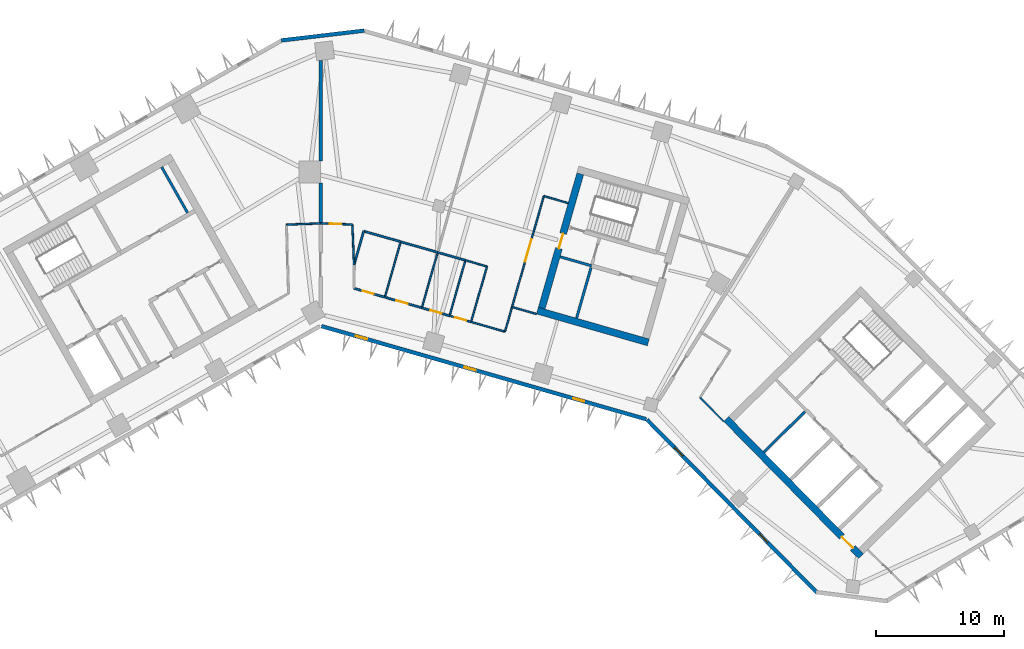
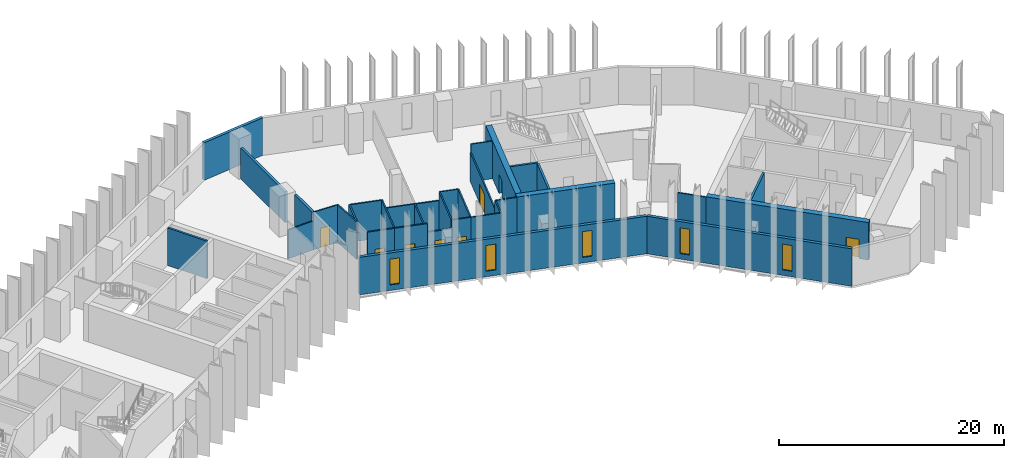
# One storey, part 5 of 11: 34 walls, 8 doors, 5 windows, 13 openings.
"""IFC4 building model written with IfcOpenShell, lengths in metres."""

from ifc_helpers import new_model, si_unit, direction, frame, frame_2d, origin, place, context, subcontext, project, spatial, rectangle, extrude, material, layer, layer_set, type_object, element, fill, save


model = new_model("IFC4")

# Units and contexts
model_context = context("Model", 3, precision=1e-05, world=origin(), true_north=direction((0.0, 1.0)))
body_context = subcontext(model_context, "Body", "Model", "MODEL_VIEW")
ifc_project = project(units=[si_unit("LENGTHUNIT", "METRE"), si_unit("AREAUNIT", "SQUARE_METRE"), si_unit("VOLUMEUNIT", "CUBIC_METRE"), si_unit("PLANEANGLEUNIT", "RADIAN"), si_unit("MASSUNIT", "GRAM", prefix="KILO")], contexts=[model_context])

# Site, building, storey
site_placement = place(None, origin())
site = spatial("IfcSite", under=ifc_project, at=site_placement, CompositionType="ELEMENT")
building_placement = place(site_placement, origin())
building = spatial("IfcBuilding", under=site, at=building_placement, Name="Binnacle Exchange Tower", CompositionType="ELEMENT")
storey_placement = place(building_placement, frame((0.0, 0.0, 141.10009765625)))
storey = spatial("IfcBuildingStorey", under=building, at=storey_placement, Name="L29", CompositionType="ELEMENT", Elevation=141.10009765625)

# Wall, opening, door
ifc_material_1 = material(Name="Concrete C70/85", Category="concrete")
ifc_layer_1 = layer(ifc_material_1, 0.550048828125)
ifc_layer_set_1 = layer_set([ifc_layer_1], Name="Core wall - outer 550")
wall_type_1 = type_object("IfcWallType", Name="Core wall - outer 550", PredefinedType="SOLIDWALL", material=ifc_layer_set_1)
wall_1_placement = place(storey_placement, frame((31.627685546875, 40.7451171875, 0.0), z_axis=(0.0, 0.0, 1.0), x_axis=(0.700911255944, -0.713248491965, 0.0)))
wall_1 = element("IfcWall", 1, at=wall_1_placement, inside=storey, type_object=wall_type_1, Name="Core wall CRWB1", PredefinedType="SOLIDWALL", context=body_context, shape_type="SweptSolid", body=[
    extrude(rectangle(XDim=15.0, YDim=0.550048828125, at=frame_2d((7.5, 0.0))), origin(), (0.0, 0.0, 1.0), 4.079833984375),
])
opening_1_placement = place(wall_1_placement, frame((12.89990234375, 0.0, 0.0)))
opening_1 = element("IfcOpeningElement", 2, at=opening_1_placement, cuts=wall_1, Name="Opening DB7", PredefinedType="OPENING", context=body_context, shape_type="SweptSolid", body=[
    extrude(rectangle(XDim=1.199951171875, YDim=2.10009765625, at=frame_2d((0.60009765625, 1.050048828125))), frame((0.0, 0.284912109375, 0.0), z_axis=(0.0, -1.0, 0.0), x_axis=(1.0, 0.0, 0.0)), (0.0, 0.0, 1.0), 0.570068359375),
])
ifc_material_2 = material(Name="Steel door leaf", Category="steel")
door_type_1 = type_object("IfcDoorType", Name="Fire door 1200", OperationType="NOTDEFINED", PredefinedType="DOOR", material=ifc_material_2)
door_1_placement = place(opening_1_placement, frame((1.199951171875, 0.0, 0.0), z_axis=(0.0, 0.0, 1.0), x_axis=(-1.0, 0.0, 0.0)))
door_1 = element("IfcDoor", 3, at=door_1_placement, inside=storey, type_object=door_type_1, Name="Lift lobby entrance door core B", OperationType="SINGLE_SWING_LEFT", OverallHeight=2.10009765625, OverallWidth=1.199951171875, PredefinedType="DOOR", context=body_context, shape_type="SweptSolid", body=[
    extrude(rectangle(XDim=1.199951171875, YDim=2.10009765625, at=frame_2d((0.60009765625, 1.050048828125))), frame((0.0, 0.02490234375, 0.0), z_axis=(0.0, -1.0, 0.0), x_axis=(1.0, 0.0, 0.0)), (0.0, 0.0, 1.0), 0.050048828125),
])
fill(opening_1, door_1)

# Wall
wall_2_placement = place(storey_placement, frame((16.90380859375, 49.197265625, 0.0), z_axis=(0.0, 0.0, 1.0), x_axis=(0.96126248289, -0.275634611374, 0.0)))
element("IfcWall", 4, at=wall_2_placement, inside=storey, type_object=wall_type_1, Name="Core wall CRWD1", PredefinedType="SOLIDWALL", context=body_context, shape_type="SweptSolid", body=[
    extrude(rectangle(XDim=9.0, YDim=0.550048828125, at=frame_2d((4.5, 0.0))), origin(), (0.0, 0.0, 1.0), 4.079833984375),
])

# Wall, opening, door
wall_3_placement = place(storey_placement, frame((17.243896484375, 49.3857421875, 0.0), z_axis=(0.0, 0.0, 1.0), x_axis=(0.275632146085, 0.96126318979, 0.0)))
wall_3 = element("IfcWall", 5, at=wall_3_placement, inside=storey, type_object=wall_type_1, Name="Core wall CRWD7", PredefinedType="SOLIDWALL", context=body_context, shape_type="SweptSolid", body=[
    extrude(rectangle(XDim=10.89990234375, YDim=0.550048828125, at=frame_2d((5.449951171875, 0.0))), origin(), (0.0, 0.0, 1.0), 4.079833984375),
])
opening_2_placement = place(wall_3_placement, frame((4.85009765625, 0.0, 0.0)))
opening_2 = element("IfcOpeningElement", 6, at=opening_2_placement, cuts=wall_3, Name="Opening DD5", PredefinedType="OPENING", context=body_context, shape_type="SweptSolid", body=[
    extrude(rectangle(XDim=1.199951171875, YDim=2.10009765625, at=frame_2d((0.60009765625, 1.050048828125))), frame((0.0, 0.284912109375, 0.0), z_axis=(0.0, -1.0, 0.0), x_axis=(1.0, 0.0, 0.0)), (0.0, 0.0, 1.0), 0.570068359375),
])
door_2_placement = place(opening_2_placement, origin())
door_2 = element("IfcDoor", 7, at=door_2_placement, inside=storey, type_object=door_type_1, Name="Vestibule exit door VEST-W", OperationType="SINGLE_SWING_RIGHT", OverallHeight=2.10009765625, OverallWidth=1.199951171875, PredefinedType="DOOR", context=body_context, shape_type="SweptSolid", body=[
    extrude(rectangle(XDim=1.199951171875, YDim=2.10009765625, at=frame_2d((0.60009765625, 1.050048828125))), frame((0.0, 0.02490234375, 0.0), z_axis=(0.0, -1.0, 0.0), x_axis=(1.0, 0.0, 0.0)), (0.0, 0.0, 1.0), 0.050048828125),
])
fill(opening_2, door_2)

# Wall
ifc_material_3 = material(Name="Bronze aluminium cladding", Category="aluminium")
ifc_layer_2 = layer(ifc_material_3, 0.300048828125)
ifc_layer_set_2 = layer_set([ifc_layer_2], Name="External wall - spandrel 300")
wall_type_2 = type_object("IfcWallType", Name="External wall - spandrel 300", PredefinedType="STANDARD", material=ifc_layer_set_2)
wall_4_placement = place(storey_placement, frame((-3.076171875, 70.27294921875, 0.0), z_axis=(0.0, 0.0, 1.0), x_axis=(0.993067743007, 0.117543429416, 0.0)))
element("IfcWall", 8, at=wall_4_placement, inside=storey, type_object=wall_type_2, Name="External wall EW-F02 L29", PredefinedType="STANDARD", context=body_context, shape_type="SweptSolid", body=[
    extrude(rectangle(XDim=6.515625, YDim=0.300048828125, at=frame_2d((3.2578125, 0.0))), origin(), (0.0, 0.0, 1.0), 4.079833984375),
])

# Wall, openings, windows
wall_5_placement = place(storey_placement, frame((25.398193359375, 40.71728515625, 0.0), z_axis=(0.0, 0.0, 1.0), x_axis=(-0.961262423262, 0.275634819324, 0.0)))
wall_5 = element("IfcWall", 9, at=wall_5_placement, inside=storey, type_object=wall_type_2, Name="External wall EW-F08 L29", PredefinedType="STANDARD", context=body_context, shape_type="SweptSolid", body=[
    extrude(rectangle(XDim=26.358642578125, YDim=0.300048828125, at=frame_2d((13.17919921875, 0.0))), origin(), (0.0, 0.0, 1.0), 4.079833984375),
])
opening_3_placement = place(wall_5_placement, frame((22.6640625, 0.0, 0.60009765625)))
opening_3 = element("IfcOpeningElement", 10, at=opening_3_placement, cuts=wall_5, Name="Opening WS2", PredefinedType="OPENING", context=body_context, shape_type="SweptSolid", body=[
    extrude(rectangle(XDim=0.89990234375, YDim=2.800048828125, at=frame_2d((0.449951171875, 1.39990234375))), frame((0.0, 0.159912109375, 0.0), z_axis=(0.0, -1.0, 0.0), x_axis=(1.0, 0.0, 0.0)), (0.0, 0.0, 1.0), 0.320068359375),
])
opening_4_placement = place(wall_5_placement, frame((13.843505859375, 0.0, 0.60009765625)))
opening_4 = element("IfcOpeningElement", 11, at=opening_4_placement, cuts=wall_5, Name="Opening WS2", PredefinedType="OPENING", context=body_context, shape_type="SweptSolid", body=[
    extrude(rectangle(XDim=0.89990234375, YDim=2.800048828125, at=frame_2d((0.449951171875, 1.39990234375))), frame((0.0, 0.159912109375, 0.0), z_axis=(0.0, -1.0, 0.0), x_axis=(1.0, 0.0, 0.0)), (0.0, 0.0, 1.0), 0.320068359375),
])
opening_5_placement = place(wall_5_placement, frame((5.023193359375, 0.0, 0.60009765625)))
opening_5 = element("IfcOpeningElement", 12, at=opening_5_placement, cuts=wall_5, Name="Opening WS2", PredefinedType="OPENING", context=body_context, shape_type="SweptSolid", body=[
    extrude(rectangle(XDim=0.89990234375, YDim=2.800048828125, at=frame_2d((0.449951171875, 1.39990234375))), frame((0.0, 0.159912109375, 0.0), z_axis=(0.0, -1.0, 0.0), x_axis=(1.0, 0.0, 0.0)), (0.0, 0.0, 1.0), 0.320068359375),
])
ifc_material_4 = material(Name="Bronze anodised aluminium frame", Category="aluminium")
window_type = type_object("IfcWindowType", Name="WS2 WINDOW 900x2800", PartitioningType="SINGLE_PANEL", PredefinedType="WINDOW", material=ifc_material_4)
window_1_placement = place(opening_3_placement, origin())
window_1 = element("IfcWindow", 13, at=window_1_placement, inside=storey, type_object=window_type, Name="Window WS2 L29", OverallHeight=2.800048828125, OverallWidth=0.89990234375, PartitioningType="SINGLE_PANEL", PredefinedType="WINDOW", context=body_context, shape_type="SweptSolid", body=[
    extrude(rectangle(XDim=0.89990234375, YDim=2.800048828125, at=frame_2d((0.449951171875, 1.39990234375))), frame((0.0, 0.030029296875, 0.0), z_axis=(0.0, -1.0, 0.0), x_axis=(1.0, 0.0, 0.0)), (0.0, 0.0, 1.0), 0.06005859375),
])
fill(opening_3, window_1)
window_2_placement = place(opening_4_placement, origin())
window_2 = element("IfcWindow", 14, at=window_2_placement, inside=storey, type_object=window_type, Name="Window WS2 L29", OverallHeight=2.800048828125, OverallWidth=0.89990234375, PartitioningType="SINGLE_PANEL", PredefinedType="WINDOW", context=body_context, shape_type="SweptSolid", body=[
    extrude(rectangle(XDim=0.89990234375, YDim=2.800048828125, at=frame_2d((0.449951171875, 1.39990234375))), frame((0.0, 0.030029296875, 0.0), z_axis=(0.0, -1.0, 0.0), x_axis=(1.0, 0.0, 0.0)), (0.0, 0.0, 1.0), 0.06005859375),
])
fill(opening_4, window_2)
window_3_placement = place(opening_5_placement, origin())
window_3 = element("IfcWindow", 15, at=window_3_placement, inside=storey, type_object=window_type, Name="Window WS2 L29", OverallHeight=2.800048828125, OverallWidth=0.89990234375, PartitioningType="SINGLE_PANEL", PredefinedType="WINDOW", context=body_context, shape_type="SweptSolid", body=[
    extrude(rectangle(XDim=0.89990234375, YDim=2.800048828125, at=frame_2d((0.449951171875, 1.39990234375))), frame((0.0, 0.030029296875, 0.0), z_axis=(0.0, -1.0, 0.0), x_axis=(1.0, 0.0, 0.0)), (0.0, 0.0, 1.0), 0.06005859375),
])
fill(opening_5, window_3)

wall_6_placement = place(storey_placement, frame((38.727294921875, 27.18115234375, 0.0), z_axis=(0.0, 0.0, 1.0), x_axis=(-0.700906405975, 0.713253258011, 0.0)))
wall_6 = element("IfcWall", 16, at=wall_6_placement, inside=storey, type_object=wall_type_2, Name="External wall EW-F09 L29", PredefinedType="STANDARD", context=body_context, shape_type="SweptSolid", body=[
    extrude(rectangle(XDim=18.92333984375, YDim=0.300048828125, at=frame_2d((9.461669921875, 0.0))), origin(), (0.0, 0.0, 1.0), 4.079833984375),
])
opening_6_placement = place(wall_6_placement, frame((14.967041015625, 0.0, 0.60009765625)))
opening_6 = element("IfcOpeningElement", 17, at=opening_6_placement, cuts=wall_6, Name="Opening WS2", PredefinedType="OPENING", context=body_context, shape_type="SweptSolid", body=[
    extrude(rectangle(XDim=0.89990234375, YDim=2.800048828125, at=frame_2d((0.449951171875, 1.39990234375))), frame((0.0, 0.159912109375, 0.0), z_axis=(0.0, -1.0, 0.0), x_axis=(1.0, 0.0, 0.0)), (0.0, 0.0, 1.0), 0.320068359375),
])
opening_7_placement = place(wall_6_placement, frame((5.51171875, 0.0, 0.60009765625)))
opening_7 = element("IfcOpeningElement", 18, at=opening_7_placement, cuts=wall_6, Name="Opening WS2", PredefinedType="OPENING", context=body_context, shape_type="SweptSolid", body=[
    extrude(rectangle(XDim=0.89990234375, YDim=2.800048828125, at=frame_2d((0.449951171875, 1.39990234375))), frame((0.0, 0.159912109375, 0.0), z_axis=(0.0, -1.0, 0.0), x_axis=(1.0, 0.0, 0.0)), (0.0, 0.0, 1.0), 0.320068359375),
])
window_4_placement = place(opening_6_placement, origin())
window_4 = element("IfcWindow", 19, at=window_4_placement, inside=storey, type_object=window_type, Name="Window WS2 L29", OverallHeight=2.800048828125, OverallWidth=0.89990234375, PartitioningType="SINGLE_PANEL", PredefinedType="WINDOW", context=body_context, shape_type="SweptSolid", body=[
    extrude(rectangle(XDim=0.89990234375, YDim=2.800048828125, at=frame_2d((0.449951171875, 1.39990234375))), frame((0.0, 0.030029296875, 0.0), z_axis=(0.0, -1.0, 0.0), x_axis=(1.0, 0.0, 0.0)), (0.0, 0.0, 1.0), 0.06005859375),
])
fill(opening_6, window_4)
window_5_placement = place(opening_7_placement, origin())
window_5 = element("IfcWindow", 20, at=window_5_placement, inside=storey, type_object=window_type, Name="Window WS2 L29", OverallHeight=2.800048828125, OverallWidth=0.89990234375, PartitioningType="SINGLE_PANEL", PredefinedType="WINDOW", context=body_context, shape_type="SweptSolid", body=[
    extrude(rectangle(XDim=0.89990234375, YDim=2.800048828125, at=frame_2d((0.449951171875, 1.39990234375))), frame((0.0, 0.030029296875, 0.0), z_axis=(0.0, -1.0, 0.0), x_axis=(1.0, 0.0, 0.0)), (0.0, 0.0, 1.0), 0.06005859375),
])
fill(opening_7, window_5)

# Walls
ifc_material_5 = material(Name="Concrete fire wall C30/37", Category="concrete")
ifc_layer_3 = layer(ifc_material_5, 0.25)
ifc_layer_set_3 = layer_set([ifc_layer_3], Name="Fire wall - compartment 250")
wall_type_3 = type_object("IfcWallType", Name="Fire wall - compartment 250", PredefinedType="PARTITIONING", material=ifc_layer_set_3)
wall_7_placement = place(storey_placement, frame((0.0, 56.0, 0.0), z_axis=(0.0, 0.0, 1.0), x_axis=(0.0, 1.0, 0.0)))
element("IfcWall", 21, at=wall_7_placement, inside=storey, type_object=wall_type_3, Name="Fire Wall W09", PredefinedType="PARTITIONING", context=body_context, shape_type="SweptSolid", body=[
    extrude(rectangle(XDim=3.14990234375, YDim=0.25, at=frame_2d((1.574951171875, 0.0))), origin(), (0.0, 0.0, 1.0), 4.079833984375),
])
wall_8_placement = place(storey_placement, frame((0.0, 60.85009765625, 0.0), z_axis=(0.0, 0.0, 1.0), x_axis=(0.0, 1.0, 0.0)))
element("IfcWall", 22, at=wall_8_placement, inside=storey, type_object=wall_type_3, Name="Fire Wall W11", PredefinedType="PARTITIONING", context=body_context, shape_type="SweptSolid", body=[
    extrude(rectangle(XDim=7.8740234375, YDim=0.25, at=frame_2d((3.93701171875, 0.0))), origin(), (0.0, 0.0, 1.0), 3.351806640625),
])

# Wall, opening, door
ifc_material_6 = material(Name="Gypsum partition fire rated")
ifc_layer_4 = layer(ifc_material_6, 0.14990234375)
ifc_layer_set_4 = layer_set([ifc_layer_4], Name="Fire-rated partition 150")
wall_type_4 = type_object("IfcWallType", Name="Fire-rated partition 150", PredefinedType="PARTITIONING", material=ifc_layer_set_4)
wall_9_placement = place(storey_placement, frame((2.60107421875, 50.931884765625, 0.0), z_axis=(0.0, 0.0, 1.0), x_axis=(0.961265528111, -0.275623991092, 0.0)))
wall_9 = element("IfcWall", 23, at=wall_9_placement, inside=storey, type_object=wall_type_4, Name="Partition W14", PredefinedType="PARTITIONING", context=body_context, shape_type="SweptSolid", body=[
    extrude(rectangle(XDim=2.499755859375, YDim=0.14990234375, at=frame_2d((1.25, 0.0))), origin(), (0.0, 0.0, 1.0), 4.079833984375),
])
opening_8_placement = place(wall_9_placement, frame((0.699951171875, 0.0, 0.0)))
opening_8 = element("IfcOpeningElement", 24, at=opening_8_placement, cuts=wall_9, Name="Opening DL28-03", PredefinedType="OPENING", context=body_context, shape_type="SweptSolid", body=[
    extrude(rectangle(XDim=0.89990234375, YDim=2.10009765625, at=frame_2d((0.449951171875, 1.050048828125))), frame((0.0, 0.0849609375, 0.0), z_axis=(0.0, -1.0, 0.0), x_axis=(1.0, 0.0, 0.0)), (0.0, 0.0, 1.0), 0.169921875),
])
door_type_2 = type_object("IfcDoorType", Name="Fire door 900", OperationType="NOTDEFINED", PredefinedType="DOOR", material=ifc_material_2)
door_3_placement = place(opening_8_placement, origin())
door_3 = element("IfcDoor", 25, at=door_3_placement, inside=storey, type_object=door_type_2, Name="Door DL28-03", OperationType="SINGLE_SWING_LEFT", OverallHeight=2.10009765625, OverallWidth=0.89990234375, PredefinedType="DOOR", context=body_context, shape_type="SweptSolid", body=[
    extrude(rectangle(XDim=0.89990234375, YDim=2.10009765625, at=frame_2d((0.449951171875, 1.050048828125))), frame((0.0, 0.02490234375, 0.0), z_axis=(0.0, -1.0, 0.0), x_axis=(1.0, 0.0, 0.0)), (0.0, 0.0, 1.0), 0.050048828125),
])
fill(opening_8, door_3)

# Walls
wall_10_placement = place(storey_placement, frame((2.60302734375, 52.751953125, 0.0), z_axis=(0.0, 0.0, 1.0), x_axis=(0.27569433145, 0.961245356611, 0.0)))
element("IfcWall", 26, at=wall_10_placement, inside=storey, type_object=wall_type_4, Name="Partition W15", PredefinedType="PARTITIONING", context=body_context, shape_type="SweptSolid", body=[
    extrude(rectangle(XDim=2.74951171875, YDim=0.14990234375, at=frame_2d((1.374755859375, 0.0))), origin(), (0.0, 0.0, 1.0), 4.079833984375),
])
wall_11_placement = place(storey_placement, frame((3.361083984375, 55.39501953125, 0.0), z_axis=(0.0, 0.0, 1.0), x_axis=(0.961268664977, -0.27561305073, 0.0)))
element("IfcWall", 27, at=wall_11_placement, inside=storey, type_object=wall_type_4, Name="Partition W16", PredefinedType="PARTITIONING", context=body_context, shape_type="SweptSolid", body=[
    extrude(rectangle(XDim=3.000244140625, YDim=0.14990234375, at=frame_2d((1.5, 0.0))), origin(), (0.0, 0.0, 1.0), 4.079833984375),
])

# Wall, opening, door
wall_12_placement = place(storey_placement, frame((5.00390625, 50.242919921875, 0.0), z_axis=(0.0, 0.0, 1.0), x_axis=(0.961268664977, -0.27561305073, 0.0)))
wall_12 = element("IfcWall", 28, at=wall_12_placement, inside=storey, type_object=wall_type_4, Name="Partition W18", PredefinedType="PARTITIONING", context=body_context, shape_type="SweptSolid", body=[
    extrude(rectangle(XDim=3.000244140625, YDim=0.14990234375, at=frame_2d((1.5, 0.0))), origin(), (0.0, 0.0, 1.0), 4.079833984375),
])
opening_9_placement = place(wall_12_placement, frame((0.949951171875, 0.0, 0.0)))
opening_9 = element("IfcOpeningElement", 29, at=opening_9_placement, cuts=wall_12, Name="Opening DL28-04", PredefinedType="OPENING", context=body_context, shape_type="SweptSolid", body=[
    extrude(rectangle(XDim=0.89990234375, YDim=2.10009765625, at=frame_2d((0.449951171875, 1.050048828125))), frame((0.0, 0.0849609375, 0.0), z_axis=(0.0, -1.0, 0.0), x_axis=(1.0, 0.0, 0.0)), (0.0, 0.0, 1.0), 0.169921875),
])
door_4_placement = place(opening_9_placement, origin())
door_4 = element("IfcDoor", 30, at=door_4_placement, inside=storey, type_object=door_type_2, Name="Door DL28-04", OperationType="SINGLE_SWING_LEFT", OverallHeight=2.10009765625, OverallWidth=0.89990234375, PredefinedType="DOOR", context=body_context, shape_type="SweptSolid", body=[
    extrude(rectangle(XDim=0.89990234375, YDim=2.10009765625, at=frame_2d((0.449951171875, 1.050048828125))), frame((0.0, 0.02490234375, 0.0), z_axis=(0.0, -1.0, 0.0), x_axis=(1.0, 0.0, 0.0)), (0.0, 0.0, 1.0), 0.050048828125),
])
fill(opening_9, door_4)

# Wall
wall_13_placement = place(storey_placement, frame((6.2451171875, 54.568115234375, 0.0), z_axis=(0.0, 0.0, 1.0), x_axis=(0.961240918172, -0.275709806194, 0.0)))
element("IfcWall", 31, at=wall_13_placement, inside=storey, type_object=wall_type_4, Name="Partition W19", PredefinedType="PARTITIONING", context=body_context, shape_type="SweptSolid", body=[
    extrude(rectangle(XDim=3.0, YDim=0.14990234375, at=frame_2d((1.5, 0.0))), origin(), (0.0, 0.0, 1.0), 3.159912109375),
])

# Wall, opening, door
wall_14_placement = place(storey_placement, frame((7.887939453125, 49.416015625, 0.0), z_axis=(0.0, 0.0, 1.0), x_axis=(0.9611628742, -0.275981755301, 0.0)))
wall_14 = element("IfcWall", 32, at=wall_14_placement, inside=storey, type_object=wall_type_4, Name="Partition W21", PredefinedType="PARTITIONING", context=body_context, shape_type="SweptSolid", body=[
    extrude(rectangle(XDim=2.25048828125, YDim=0.14990234375, at=frame_2d((1.125244140625, 0.0))), origin(), (0.0, 0.0, 1.0), 3.141845703125),
])
opening_10_placement = place(wall_14_placement, frame((0.699951171875, 0.0, 0.0)))
opening_10 = element("IfcOpeningElement", 33, at=opening_10_placement, cuts=wall_14, Name="Opening DL28-05", PredefinedType="OPENING", context=body_context, shape_type="SweptSolid", body=[
    extrude(rectangle(XDim=0.89990234375, YDim=2.10009765625, at=frame_2d((0.449951171875, 1.050048828125))), frame((0.0, 0.0849609375, 0.0), z_axis=(0.0, -1.0, 0.0), x_axis=(1.0, 0.0, 0.0)), (0.0, 0.0, 1.0), 0.169921875),
])
door_5_placement = place(opening_10_placement, origin())
door_5 = element("IfcDoor", 34, at=door_5_placement, inside=storey, type_object=door_type_2, Name="Door DL28-05", OperationType="SINGLE_SWING_RIGHT", OverallHeight=2.10009765625, OverallWidth=0.89990234375, PredefinedType="DOOR", context=body_context, shape_type="SweptSolid", body=[
    extrude(rectangle(XDim=0.89990234375, YDim=2.10009765625, at=frame_2d((0.449951171875, 1.050048828125))), frame((0.0, 0.02490234375, 0.0), z_axis=(0.0, -1.0, 0.0), x_axis=(1.0, 0.0, 0.0)), (0.0, 0.0, 1.0), 0.050048828125),
])
fill(opening_10, door_5)

# Walls
wall_15_placement = place(storey_placement, frame((9.12890625, 53.740966796875, 0.0), z_axis=(0.0, 0.0, 1.0), x_axis=(0.961273691875, -0.275595517578, 0.0)))
element("IfcWall", 35, at=wall_15_placement, inside=storey, type_object=wall_type_4, Name="Partition W22", PredefinedType="PARTITIONING", context=body_context, shape_type="SweptSolid", body=[
    extrude(rectangle(XDim=2.249267578125, YDim=0.14990234375, at=frame_2d((1.12451171875, 0.0))), origin(), (0.0, 0.0, 1.0), 3.141845703125),
])
ifc_material_7 = material(Name="Gypsum partition")
ifc_layer_5 = layer(ifc_material_7, 0.125)
ifc_layer_set_5 = layer_set([ifc_layer_5], Name="Partition 125")
wall_type_5 = type_object("IfcWallType", Name="Partition 125", PredefinedType="PARTITIONING", material=ifc_layer_set_5)
wall_16_placement = place(storey_placement, frame((-2.669921875, 55.904052734375, 0.0), z_axis=(0.0, 0.0, 1.0), x_axis=(0.999354913865, 0.03591317494, 0.0)))
element("IfcWall", 36, at=wall_16_placement, inside=storey, type_object=wall_type_5, Name="Partition W07", PredefinedType="PARTITIONING", context=body_context, shape_type="SweptSolid", body=[
    extrude(rectangle(XDim=2.671630859375, YDim=0.125, at=frame_2d((1.3359375, 0.0))), origin(), (0.0, 0.0, 1.0), 3.141845703125),
])

# Wall, opening, door
wall_17_placement = place(storey_placement, frame((0.0, 56.0, 0.0), z_axis=(0.0, 0.0, 1.0), x_axis=(0.999349313684, -0.036068673934, 0.0)))
wall_17 = element("IfcWall", 37, at=wall_17_placement, inside=storey, type_object=wall_type_5, Name="Partition W10", PredefinedType="PARTITIONING", context=body_context, shape_type="SweptSolid", body=[
    extrude(rectangle(XDim=2.470703125, YDim=0.125, at=frame_2d((1.2353515625, 0.0))), origin(), (0.0, 0.0, 1.0), 4.079833984375),
])
opening_11_placement = place(wall_17_placement, frame((0.699951171875, 0.0, 0.0)))
opening_11 = element("IfcOpeningElement", 38, at=opening_11_placement, cuts=wall_17, Name="Opening DL28-07", PredefinedType="OPENING", context=body_context, shape_type="SweptSolid", body=[
    extrude(rectangle(XDim=0.89990234375, YDim=2.10009765625, at=frame_2d((0.449951171875, 1.050048828125))), frame((0.0, 0.072509765625, 0.0), z_axis=(0.0, -1.0, 0.0), x_axis=(1.0, 0.0, 0.0)), (0.0, 0.0, 1.0), 0.14501953125),
])
ifc_material_8 = material(Name="Timber door leaf", Category="wood")
door_type_3 = type_object("IfcDoorType", Name="Door 900", OperationType="NOTDEFINED", PredefinedType="DOOR", material=ifc_material_8)
door_6_placement = place(opening_11_placement, origin())
door_6 = element("IfcDoor", 39, at=door_6_placement, inside=storey, type_object=door_type_3, Name="Door DL28-07", OperationType="SINGLE_SWING_LEFT", OverallHeight=2.10009765625, OverallWidth=0.89990234375, PredefinedType="DOOR", context=body_context, shape_type="SweptSolid", body=[
    extrude(rectangle(XDim=0.89990234375, YDim=2.10009765625, at=frame_2d((0.449951171875, 1.050048828125))), frame((0.0, 0.02490234375, 0.0), z_axis=(0.0, -1.0, 0.0), x_axis=(1.0, 0.0, 0.0)), (0.0, 0.0, 1.0), 0.050048828125),
])
fill(opening_11, door_6)

# Walls
wall_18_placement = place(storey_placement, frame((2.468994140625, 55.910888671875, 0.0), z_axis=(0.0, 0.0, 1.0), x_axis=(0.042391721597, -0.99910106693, 0.0)))
element("IfcWall", 40, at=wall_18_placement, inside=storey, type_object=wall_type_5, Name="Partition W12", PredefinedType="PARTITIONING", context=body_context, shape_type="SweptSolid", body=[
    extrude(rectangle(XDim=3.161865234375, YDim=0.125, at=frame_2d((1.5810546875, 0.0))), origin(), (0.0, 0.0, 1.0), 4.079833984375),
])
wall_19_placement = place(storey_placement, frame((5.00390625, 50.242919921875, 0.0), z_axis=(0.0, 0.0, 1.0), x_axis=(0.275838825927, 0.961203902464, 0.0)))
element("IfcWall", 41, at=wall_19_placement, inside=storey, type_object=wall_type_5, Name="Partition W17", PredefinedType="PARTITIONING", context=body_context, shape_type="SweptSolid", body=[
    extrude(rectangle(XDim=4.499755859375, YDim=0.125, at=frame_2d((2.25, 0.0))), origin(), (0.0, 0.0, 1.0), 4.079833984375),
])
wall_20_placement = place(storey_placement, frame((7.887939453125, 49.416015625, 0.0), z_axis=(0.0, 0.0, 1.0), x_axis=(0.275803080638, 0.96121415965, 0.0)))
element("IfcWall", 42, at=wall_20_placement, inside=storey, type_object=wall_type_5, Name="Partition W20", PredefinedType="PARTITIONING", context=body_context, shape_type="SweptSolid", body=[
    extrude(rectangle(XDim=4.49951171875, YDim=0.125, at=frame_2d((2.249755859375, 0.0))), origin(), (0.0, 0.0, 1.0), 3.159912109375),
])
wall_21_placement = place(storey_placement, frame((10.051025390625, 48.794921875, 0.0), z_axis=(0.0, 0.0, 1.0), x_axis=(0.275530671241, 0.961292280841, 0.0)))
element("IfcWall", 43, at=wall_21_placement, inside=storey, type_object=wall_type_5, Name="Partition W24", PredefinedType="PARTITIONING", context=body_context, shape_type="SweptSolid", body=[
    extrude(rectangle(XDim=4.50048828125, YDim=0.125, at=frame_2d((2.250244140625, 0.0))), origin(), (0.0, 0.0, 1.0), 4.079833984375),
])

# Wall, opening, door
wall_22_placement = place(storey_placement, frame((10.051025390625, 48.794921875, 0.0), z_axis=(0.0, 0.0, 1.0), x_axis=(0.961313033798, -0.275458256455, 0.0)))
wall_22 = element("IfcWall", 44, at=wall_22_placement, inside=storey, type_object=wall_type_5, Name="Partition W25", PredefinedType="PARTITIONING", context=body_context, shape_type="SweptSolid", body=[
    extrude(rectangle(XDim=1.74951171875, YDim=0.125, at=frame_2d((0.874755859375, 0.0))), origin(), (0.0, 0.0, 1.0), 4.079833984375),
])
opening_12_placement = place(wall_22_placement, frame((0.449951171875, 0.0, 0.0)))
opening_12 = element("IfcOpeningElement", 45, at=opening_12_placement, cuts=wall_22, Name="Opening DL28-06", PredefinedType="OPENING", context=body_context, shape_type="SweptSolid", body=[
    extrude(rectangle(XDim=0.89990234375, YDim=2.10009765625, at=frame_2d((0.449951171875, 1.050048828125))), frame((0.0, 0.072509765625, 0.0), z_axis=(0.0, -1.0, 0.0), x_axis=(1.0, 0.0, 0.0)), (0.0, 0.0, 1.0), 0.14501953125),
])
door_7_placement = place(opening_12_placement, origin())
door_7 = element("IfcDoor", 46, at=door_7_placement, inside=storey, type_object=door_type_3, Name="Door DL28-06", OperationType="SINGLE_SWING_RIGHT", OverallHeight=2.10009765625, OverallWidth=0.89990234375, PredefinedType="DOOR", context=body_context, shape_type="SweptSolid", body=[
    extrude(rectangle(XDim=0.89990234375, YDim=2.10009765625, at=frame_2d((0.449951171875, 1.050048828125))), frame((0.0, 0.02490234375, 0.0), z_axis=(0.0, -1.0, 0.0), x_axis=(1.0, 0.0, 0.0)), (0.0, 0.0, 1.0), 0.050048828125),
])
fill(opening_12, door_7)

# Walls
wall_23_placement = place(storey_placement, frame((11.291015625, 53.12109375, 0.0), z_axis=(0.0, 0.0, 1.0), x_axis=(0.961329010357, -0.275402494264, 0.0)))
element("IfcWall", 47, at=wall_23_placement, inside=storey, type_object=wall_type_5, Name="Partition W26", PredefinedType="PARTITIONING", context=body_context, shape_type="SweptSolid", body=[
    extrude(rectangle(XDim=1.750732421875, YDim=0.125, at=frame_2d((0.87548828125, 0.0))), origin(), (0.0, 0.0, 1.0), 4.079833984375),
])
wall_24_placement = place(storey_placement, frame((11.73291015625, 48.31298828125, 0.0), z_axis=(0.0, 0.0, 1.0), x_axis=(0.275795676316, 0.961216284155, 0.0)))
element("IfcWall", 48, at=wall_24_placement, inside=storey, type_object=wall_type_5, Name="Partition W27", PredefinedType="PARTITIONING", context=body_context, shape_type="SweptSolid", body=[
    extrude(rectangle(XDim=4.50048828125, YDim=0.125, at=frame_2d((2.250244140625, 0.0))), origin(), (0.0, 0.0, 1.0), 4.079833984375),
])
wall_25_placement = place(storey_placement, frame((11.73291015625, 48.31298828125, 0.0), z_axis=(0.0, 0.0, 1.0), x_axis=(0.961272337704, -0.275600240865, 0.0)))
element("IfcWall", 49, at=wall_25_placement, inside=storey, type_object=wall_type_5, Name="Partition W28", PredefinedType="PARTITIONING", context=body_context, shape_type="SweptSolid", body=[
    extrude(rectangle(XDim=2.75048828125, YDim=0.125, at=frame_2d((1.375244140625, 0.0))), origin(), (0.0, 0.0, 1.0), 4.079833984375),
])
wall_26_placement = place(storey_placement, frame((14.376953125, 47.554931640625, 0.0), z_axis=(0.0, 0.0, 1.0), x_axis=(0.275446387355, 0.961316434736, 0.0)))
element("IfcWall", 50, at=wall_26_placement, inside=storey, type_object=wall_type_5, Name="Partition W29", PredefinedType="PARTITIONING", context=body_context, shape_type="SweptSolid", body=[
    extrude(rectangle(XDim=2.00048828125, YDim=0.125, at=frame_2d((1.000244140625, 0.0))), origin(), (0.0, 0.0, 1.0), 4.079833984375),
])
wall_27_placement = place(storey_placement, frame((14.927978515625, 49.47802734375, 0.0), z_axis=(0.0, 0.0, 1.0), x_axis=(0.961243778232, -0.27569983462, 0.0)))
element("IfcWall", 51, at=wall_27_placement, inside=storey, type_object=wall_type_5, Name="Partition W30", PredefinedType="PARTITIONING", context=body_context, shape_type="SweptSolid", body=[
    extrude(rectangle(XDim=1.9765625, YDim=0.125, at=frame_2d((0.98828125, 0.0))), origin(), (0.0, 0.0, 1.0), 4.079833984375),
])

# Wall, opening, door
wall_28_placement = place(storey_placement, frame((14.927978515625, 49.47802734375, 0.0), z_axis=(0.0, 0.0, 1.0), x_axis=(0.275674053528, 0.961251172281, 0.0)))
wall_28 = element("IfcWall", 52, at=wall_28_placement, inside=storey, type_object=wall_type_5, Name="Partition W31", PredefinedType="PARTITIONING", context=body_context, shape_type="SweptSolid", body=[
    extrude(rectangle(XDim=8.99951171875, YDim=0.125, at=frame_2d((4.499755859375, 0.0))), origin(), (0.0, 0.0, 1.0), 3.141845703125),
])
opening_13_placement = place(wall_28_placement, frame((3.699951171875, 0.0, 0.0)))
opening_13 = element("IfcOpeningElement", 53, at=opening_13_placement, cuts=wall_28, Name="Opening DL28-08", PredefinedType="OPENING", context=body_context, shape_type="SweptSolid", body=[
    extrude(rectangle(XDim=1.800048828125, YDim=2.10009765625, at=frame_2d((0.89990234375, 1.050048828125))), frame((0.0, 0.072509765625, 0.0), z_axis=(0.0, -1.0, 0.0), x_axis=(1.0, 0.0, 0.0)), (0.0, 0.0, 1.0), 0.14501953125),
])
door_type_4 = type_object("IfcDoorType", Name="Double door 1800", OperationType="NOTDEFINED", PredefinedType="DOOR", material=ifc_material_8)
door_8_placement = place(opening_13_placement, origin())
door_8 = element("IfcDoor", 54, at=door_8_placement, inside=storey, type_object=door_type_4, Name="Door DL28-08", OperationType="DOUBLE_DOOR_SINGLE_SWING", OverallHeight=2.10009765625, OverallWidth=1.800048828125, PredefinedType="DOOR", context=body_context, shape_type="SweptSolid", body=[
    extrude(rectangle(XDim=1.800048828125, YDim=2.10009765625, at=frame_2d((0.89990234375, 1.050048828125))), frame((0.0, 0.02490234375, 0.0), z_axis=(0.0, -1.0, 0.0), x_axis=(1.0, 0.0, 0.0)), (0.0, 0.0, 1.0), 0.050048828125),
])
fill(opening_13, door_8)

# Walls
wall_29_placement = place(storey_placement, frame((17.408935546875, 58.12890625, 0.0), z_axis=(0.0, 0.0, 1.0), x_axis=(0.961253165474, -0.275667103345, 0.0)))
element("IfcWall", 55, at=wall_29_placement, inside=storey, type_object=wall_type_5, Name="Partition W32", PredefinedType="PARTITIONING", context=body_context, shape_type="SweptSolid", body=[
    extrude(rectangle(XDim=1.976806640625, YDim=0.125, at=frame_2d((0.98828125, 0.0))), origin(), (0.0, 0.0, 1.0), 4.079833984375),
])
wall_30_placement = place(storey_placement, frame((29.60009765625, 42.416015625, 0.0), z_axis=(0.0, 0.0, 1.0), x_axis=(0.700914320664, -0.713245480244, 0.0)))
element("IfcWall", 56, at=wall_30_placement, inside=storey, type_object=wall_type_5, Name="Partition W35", PredefinedType="PARTITIONING", context=body_context, shape_type="SweptSolid", body=[
    extrude(rectangle(XDim=2.613525390625, YDim=0.125, at=frame_2d((1.306640625, 0.0))), origin(), (0.0, 0.0, 1.0), 4.079833984375),
])
ifc_material_9 = material(Name="Masonry block wall", Category="masonry")
ifc_layer_6 = layer(ifc_material_9, 0.199951171875)
ifc_layer_set_6 = layer_set([ifc_layer_6], Name="Riser wall 200")
wall_type_6 = type_object("IfcWallType", Name="Riser wall 200", PredefinedType="SOLIDWALL", material=ifc_layer_set_6)
wall_31_placement = place(storey_placement, frame((-12.40185546875, 60.39404296875, 0.0), z_axis=(0.0, 0.0, 1.0), x_axis=(0.492453559952, -0.87033872216, 0.0)))
element("IfcWall", 57, at=wall_31_placement, inside=storey, type_object=wall_type_6, Name="Core wall CRWC23", PredefinedType="SOLIDWALL", context=body_context, shape_type="SweptSolid", body=[
    extrude(rectangle(XDim=4.099853515625, YDim=0.199951171875, at=frame_2d((2.0498046875, 0.0))), origin(), (0.0, 0.0, 1.0), 4.079833984375),
])
wall_32_placement = place(storey_placement, frame((34.5576171875, 38.15625, 0.0), z_axis=(0.0, 0.0, 1.0), x_axis=(0.713237924006, 0.700922009755, 0.0)))
element("IfcWall", 58, at=wall_32_placement, inside=storey, type_object=wall_type_6, Name="Core wall CRWB9", PredefinedType="SOLIDWALL", context=body_context, shape_type="SweptSolid", body=[
    extrude(rectangle(XDim=4.499755859375, YDim=0.199951171875, at=frame_2d((2.25, 0.0))), origin(), (0.0, 0.0, 1.0), 4.079833984375),
])
wall_33_placement = place(storey_placement, frame((18.6796875, 53.3955078125, 0.0), z_axis=(0.0, 0.0, 1.0), x_axis=(0.961234387647, -0.275732573349, 0.0)))
element("IfcWall", 59, at=wall_33_placement, inside=storey, type_object=wall_type_6, Name="Core wall CRWD2", PredefinedType="SOLIDWALL", context=body_context, shape_type="SweptSolid", body=[
    extrude(rectangle(XDim=2.550048828125, YDim=0.199951171875, at=frame_2d((1.27490234375, 0.0))), origin(), (0.0, 0.0, 1.0), 4.079833984375),
])
wall_34_placement = place(storey_placement, frame((19.95947265625, 48.607177734375, 0.0), z_axis=(0.0, 0.0, 1.0), x_axis=(0.275641165445, 0.961260603537, 0.0)))
element("IfcWall", 60, at=wall_34_placement, inside=storey, type_object=wall_type_6, Name="Core wall CRWD8", PredefinedType="SOLIDWALL", context=body_context, shape_type="SweptSolid", body=[
    extrude(rectangle(XDim=4.10009765625, YDim=0.199951171875, at=frame_2d((2.050048828125, 0.0))), origin(), (0.0, 0.0, 1.0), 4.079833984375),
])

save(model, "model.ifc")
